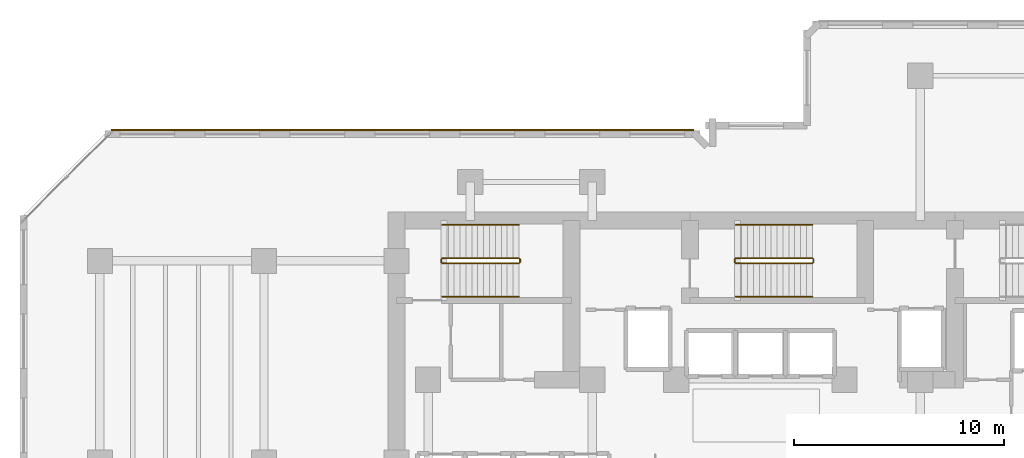
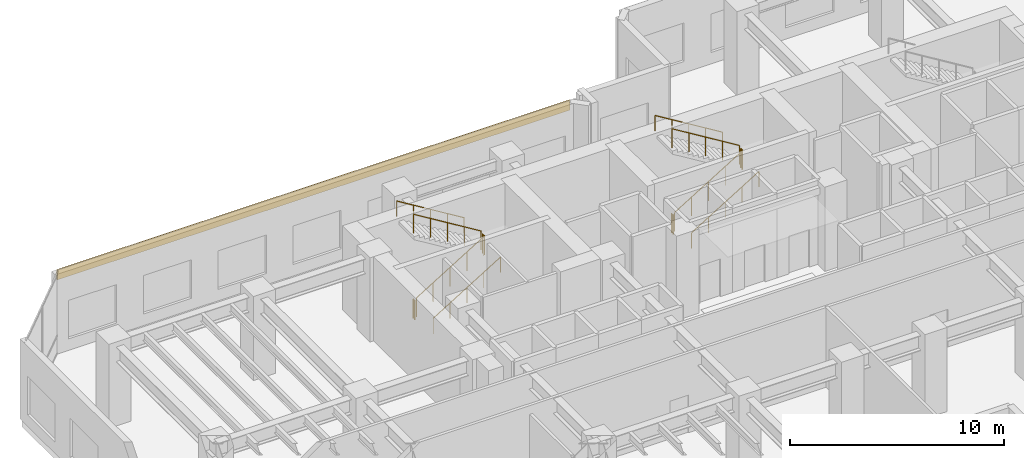
# One storey, part 16 of 17: 12 railings, 1 covering.
"""IFC4 building model written with IfcOpenShell, lengths in metres."""

from ifc_helpers import new_model, si_unit, direction, frame, origin, origin_2d, place, context, subcontext, project, spatial, rectangle, circle, extrude, material, layer, layer_set, type_object, element, save


model = new_model("IFC4")

# Units and contexts
model_context = context("Model", 3, precision=1e-05, world=origin(), true_north=direction((0.0, 1.0)))
body_context = subcontext(model_context, "Body", "Model", "MODEL_VIEW")
ifc_project = project(units=[si_unit("LENGTHUNIT", "METRE"), si_unit("AREAUNIT", "SQUARE_METRE"), si_unit("VOLUMEUNIT", "CUBIC_METRE"), si_unit("PLANEANGLEUNIT", "RADIAN"), si_unit("MASSUNIT", "GRAM", prefix="KILO")], contexts=[model_context])

# Site, building, storey
site_placement = place(None, origin())
site = spatial("IfcSite", under=ifc_project, at=site_placement, CompositionType="ELEMENT")
building_placement = place(site_placement, origin())
building = spatial("IfcBuilding", under=site, at=building_placement, Name="Kestravale Grand Hotel", CompositionType="ELEMENT")
storey_placement = place(building_placement, frame((0.0, 0.0, 129.800048828125)))
storey = spatial("IfcBuildingStorey", under=building, at=storey_placement, Name="L32", CompositionType="ELEMENT", Elevation=129.800048828125)

# Covering
ifc_material_1 = material(Name="Warm limestone-toned fluted architectural precast cladding", Category="masonry")
ifc_layer = layer(ifc_material_1, 0.074951171875)
ifc_layer_set = layer_set([ifc_layer], Name="COV-CLAD-LIM")
covering_type = type_object("IfcCoveringType", Name="COV-CLAD-LIM", PredefinedType="CLADDING", material=ifc_layer_set)
covering_placement = place(storey_placement, frame((22.175048828125, 44.614990234375, 3.97509765625), z_axis=(0.0, 0.0, 1.0), x_axis=(-1.0, 0.0, 0.0)))
element("IfcCovering", 1, at=covering_placement, inside=storey, type_object=covering_type, Name="L32 fluted limestone spandrel cladding 17", PredefinedType="CLADDING", context=body_context, shape_type="SweptSolid", body=[
    extrude(rectangle(XDim=27.68994140625, YDim=0.074951171875, at=origin_2d()), origin(), (0.0, 0.0, 1.0), 0.550048828125),
])

# Railings
ifc_material_2 = material(Name="Painted tubular steel stair well guard", Category="steel")
railing_type_1 = type_object("IfcRailingType", Name="RL-ST-GRD1100", PredefinedType="GUARDRAIL", material=ifc_material_2)
railing_1_placement = place(storey_placement, frame((24.080078125, 38.280029296875, 0.17138671875)))
element("IfcRailing", 2, at=railing_1_placement, inside=storey, type_object=railing_type_1, Name="L32 ST-1 stair guard 1", PredefinedType="GUARDRAIL", context=body_context, shape_type="SweptSolid", body=[
    extrude(circle(Radius=0.02392578125, at=origin_2d()), frame((0.0, 0.0, 1.076171875), z_axis=(0.852850264322, 0.0, 0.5221555579), x_axis=(0.0, 1.0, 0.0)), (0.0, 0.0, 1.0), 4.267822265625),
    extrude(circle(Radius=0.02099609375, at=origin_2d()), origin(), (0.0, 0.0, 1.0), 1.052001953125),
    extrude(circle(Radius=0.02099609375, at=origin_2d()), frame((0.909912109375, 0.0, 0.55712890625)), (0.0, 0.0, 1.0), 1.052001953125),
    extrude(circle(Radius=0.02099609375, at=origin_2d()), frame((1.81982421875, 0.0, 1.1142578125)), (0.0, 0.0, 1.0), 1.052001953125),
    extrude(circle(Radius=0.02099609375, at=origin_2d()), frame((2.72998046875, 0.0, 1.67138671875)), (0.0, 0.0, 1.0), 1.052001953125),
    extrude(circle(Radius=0.02099609375, at=origin_2d()), frame((3.639892578125, 0.0, 2.228515625)), (0.0, 0.0, 1.0), 1.052001953125),
])
railing_2_placement = place(storey_placement, frame((27.77001953125, 38.330078125, 2.39990234375)))
element("IfcRailing", 3, at=railing_2_placement, inside=storey, type_object=railing_type_1, Name="L32 ST-1 stair guard 2", PredefinedType="GUARDRAIL", context=body_context, shape_type="SweptSolid", body=[
    extrude(circle(Radius=0.02392578125, at=origin_2d()), frame((0.0, 0.0, 1.076171875), z_axis=(0.0, 1.0, 0.0), x_axis=(-1.0, 0.0, 0.0)), (0.0, 0.0, 1.0), 0.14990234375),
    extrude(circle(Radius=0.02099609375, at=origin_2d()), origin(), (0.0, 0.0, 1.0), 1.052001953125),
    extrude(circle(Radius=0.02099609375, at=origin_2d()), frame((0.0, 0.14990234375, 0.0)), (0.0, 0.0, 1.0), 1.052001953125),
])
railing_3_placement = place(storey_placement, frame((27.719970703125, 38.530029296875, 2.5712890625)))
element("IfcRailing", 4, at=railing_3_placement, inside=storey, type_object=railing_type_1, Name="L32 ST-1 stair guard 3", PredefinedType="GUARDRAIL", context=body_context, shape_type="SweptSolid", body=[
    extrude(circle(Radius=0.02392578125, at=origin_2d()), frame((0.0, 0.0, 1.076171875), z_axis=(-0.852824790078, 0.0, 0.522197163366), x_axis=(0.0, -1.0, 0.0)), (0.0, 0.0, 1.0), 4.26806640625),
    extrude(circle(Radius=0.02099609375, at=origin_2d()), origin(), (0.0, 0.0, 1.0), 1.052001953125),
    extrude(circle(Radius=0.02099609375, at=origin_2d()), frame((-0.909912109375, 0.0, 0.55712890625)), (0.0, 0.0, 1.0), 1.052001953125),
    extrude(circle(Radius=0.02099609375, at=origin_2d()), frame((-1.81982421875, 0.0, 1.1142578125)), (0.0, 0.0, 1.0), 1.052001953125),
    extrude(circle(Radius=0.02099609375, at=origin_2d()), frame((-2.72998046875, 0.0, 1.671630859375)), (0.0, 0.0, 1.0), 1.052001953125),
    extrude(circle(Radius=0.02099609375, at=origin_2d()), frame((-3.639892578125, 0.0, 2.228759765625)), (0.0, 0.0, 1.0), 1.052001953125),
])
railing_4_placement = place(storey_placement, frame((24.030029296875, 38.330078125, 0.0)))
element("IfcRailing", 5, at=railing_4_placement, inside=storey, type_object=railing_type_1, Name="L32 ST-1 stair guard 4", PredefinedType="GUARDRAIL", context=body_context, shape_type="SweptSolid", body=[
    extrude(circle(Radius=0.02392578125, at=origin_2d()), frame((0.0, 0.0, 1.076171875), z_axis=(0.0, 1.0, 0.0), x_axis=(-1.0, 0.0, 0.0)), (0.0, 0.0, 1.0), 0.14990234375),
    extrude(circle(Radius=0.02099609375, at=origin_2d()), origin(), (0.0, 0.0, 1.0), 1.052001953125),
    extrude(circle(Radius=0.02099609375, at=origin_2d()), frame((0.0, 0.14990234375, 0.0)), (0.0, 0.0, 1.0), 1.052001953125),
])
railing_5_placement = place(storey_placement, frame((38.030029296875, 38.280029296875, 0.17138671875)))
element("IfcRailing", 6, at=railing_5_placement, inside=storey, type_object=railing_type_1, Name="L32 ST-2 stair guard 1", PredefinedType="GUARDRAIL", context=body_context, shape_type="SweptSolid", body=[
    extrude(circle(Radius=0.02392578125, at=origin_2d()), frame((0.0, 0.0, 1.076171875), z_axis=(0.852850264322, 0.0, 0.5221555579), x_axis=(0.0, 1.0, 0.0)), (0.0, 0.0, 1.0), 4.267822265625),
    extrude(circle(Radius=0.02099609375, at=origin_2d()), origin(), (0.0, 0.0, 1.0), 1.052001953125),
    extrude(circle(Radius=0.02099609375, at=origin_2d()), frame((0.909912109375, 0.0, 0.55712890625)), (0.0, 0.0, 1.0), 1.052001953125),
    extrude(circle(Radius=0.02099609375, at=origin_2d()), frame((1.81982421875, 0.0, 1.1142578125)), (0.0, 0.0, 1.0), 1.052001953125),
    extrude(circle(Radius=0.02099609375, at=origin_2d()), frame((2.72998046875, 0.0, 1.67138671875)), (0.0, 0.0, 1.0), 1.052001953125),
    extrude(circle(Radius=0.02099609375, at=origin_2d()), frame((3.639892578125, 0.0, 2.228515625)), (0.0, 0.0, 1.0), 1.052001953125),
])
railing_6_placement = place(storey_placement, frame((41.719970703125, 38.330078125, 2.39990234375)))
element("IfcRailing", 7, at=railing_6_placement, inside=storey, type_object=railing_type_1, Name="L32 ST-2 stair guard 2", PredefinedType="GUARDRAIL", context=body_context, shape_type="SweptSolid", body=[
    extrude(circle(Radius=0.02392578125, at=origin_2d()), frame((0.0, 0.0, 1.076171875), z_axis=(0.0, 1.0, 0.0), x_axis=(-1.0, 0.0, 0.0)), (0.0, 0.0, 1.0), 0.14990234375),
    extrude(circle(Radius=0.02099609375, at=origin_2d()), origin(), (0.0, 0.0, 1.0), 1.052001953125),
    extrude(circle(Radius=0.02099609375, at=origin_2d()), frame((0.0, 0.14990234375, 0.0)), (0.0, 0.0, 1.0), 1.052001953125),
])
railing_7_placement = place(storey_placement, frame((41.669921875, 38.530029296875, 2.5712890625)))
element("IfcRailing", 8, at=railing_7_placement, inside=storey, type_object=railing_type_1, Name="L32 ST-2 stair guard 3", PredefinedType="GUARDRAIL", context=body_context, shape_type="SweptSolid", body=[
    extrude(circle(Radius=0.02392578125, at=origin_2d()), frame((0.0, 0.0, 1.076171875), z_axis=(-0.852824790078, 0.0, 0.522197163366), x_axis=(0.0, -1.0, 0.0)), (0.0, 0.0, 1.0), 4.26806640625),
    extrude(circle(Radius=0.02099609375, at=origin_2d()), origin(), (0.0, 0.0, 1.0), 1.052001953125),
    extrude(circle(Radius=0.02099609375, at=origin_2d()), frame((-0.909912109375, 0.0, 0.55712890625)), (0.0, 0.0, 1.0), 1.052001953125),
    extrude(circle(Radius=0.02099609375, at=origin_2d()), frame((-1.81982421875, 0.0, 1.1142578125)), (0.0, 0.0, 1.0), 1.052001953125),
    extrude(circle(Radius=0.02099609375, at=origin_2d()), frame((-2.72998046875, 0.0, 1.671630859375)), (0.0, 0.0, 1.0), 1.052001953125),
    extrude(circle(Radius=0.02099609375, at=origin_2d()), frame((-3.639892578125, 0.0, 2.228759765625)), (0.0, 0.0, 1.0), 1.052001953125),
])
railing_8_placement = place(storey_placement, frame((37.97998046875, 38.330078125, 0.0)))
element("IfcRailing", 9, at=railing_8_placement, inside=storey, type_object=railing_type_1, Name="L32 ST-2 stair guard 4", PredefinedType="GUARDRAIL", context=body_context, shape_type="SweptSolid", body=[
    extrude(circle(Radius=0.02392578125, at=origin_2d()), frame((0.0, 0.0, 1.076171875), z_axis=(0.0, 1.0, 0.0), x_axis=(-1.0, 0.0, 0.0)), (0.0, 0.0, 1.0), 0.14990234375),
    extrude(circle(Radius=0.02099609375, at=origin_2d()), origin(), (0.0, 0.0, 1.0), 1.052001953125),
    extrude(circle(Radius=0.02099609375, at=origin_2d()), frame((0.0, 0.14990234375, 0.0)), (0.0, 0.0, 1.0), 1.052001953125),
])
ifc_material_3 = material(Name="Brushed stainless steel wall handrail", Category="steel")
railing_type_2 = type_object("IfcRailingType", Name="RL-ST-HND900", PredefinedType="HANDRAIL", material=ifc_material_3)
railing_9_placement = place(storey_placement, frame((24.080078125, 36.699951171875, 0.17138671875)))
element("IfcRailing", 10, at=railing_9_placement, inside=storey, type_object=railing_type_2, Name="L32 ST-1 stair handrail 1", PredefinedType="HANDRAIL", context=body_context, shape_type="SweptSolid", body=[
    extrude(circle(Radius=0.02392578125, at=origin_2d()), frame((0.0, 0.0, 0.8759765625), z_axis=(0.852850264322, 0.0, 0.5221555579), x_axis=(0.0, 1.0, 0.0)), (0.0, 0.0, 1.0), 4.267822265625),
    extrude(circle(Radius=0.02099609375, at=origin_2d()), origin(), (0.0, 0.0, 1.0), 0.851806640625),
    extrude(circle(Radius=0.02099609375, at=origin_2d()), frame((0.909912109375, 0.0, 0.55712890625)), (0.0, 0.0, 1.0), 0.851806640625),
    extrude(circle(Radius=0.02099609375, at=origin_2d()), frame((1.81982421875, 0.0, 1.1142578125)), (0.0, 0.0, 1.0), 0.851806640625),
    extrude(circle(Radius=0.02099609375, at=origin_2d()), frame((2.72998046875, 0.0, 1.67138671875)), (0.0, 0.0, 1.0), 0.851806640625),
    extrude(circle(Radius=0.02099609375, at=origin_2d()), frame((3.639892578125, 0.0, 2.228515625)), (0.0, 0.0, 1.0), 0.851806640625),
])
railing_10_placement = place(storey_placement, frame((27.719970703125, 40.110107421875, 2.5712890625)))
element("IfcRailing", 11, at=railing_10_placement, inside=storey, type_object=railing_type_2, Name="L32 ST-1 stair handrail 2", PredefinedType="HANDRAIL", context=body_context, shape_type="SweptSolid", body=[
    extrude(circle(Radius=0.02392578125, at=origin_2d()), frame((0.0, 0.0, 0.8759765625), z_axis=(-0.852824790078, 0.0, 0.522197163366), x_axis=(0.0, -1.0, 0.0)), (0.0, 0.0, 1.0), 4.26806640625),
    extrude(circle(Radius=0.02099609375, at=origin_2d()), origin(), (0.0, 0.0, 1.0), 0.851806640625),
    extrude(circle(Radius=0.02099609375, at=origin_2d()), frame((-0.909912109375, 0.0, 0.55712890625)), (0.0, 0.0, 1.0), 0.851806640625),
    extrude(circle(Radius=0.02099609375, at=origin_2d()), frame((-1.81982421875, 0.0, 1.1142578125)), (0.0, 0.0, 1.0), 0.851806640625),
    extrude(circle(Radius=0.02099609375, at=origin_2d()), frame((-2.72998046875, 0.0, 1.671630859375)), (0.0, 0.0, 1.0), 0.851806640625),
    extrude(circle(Radius=0.02099609375, at=origin_2d()), frame((-3.639892578125, 0.0, 2.228759765625)), (0.0, 0.0, 1.0), 0.851806640625),
])
railing_11_placement = place(storey_placement, frame((38.030029296875, 36.699951171875, 0.17138671875)))
element("IfcRailing", 12, at=railing_11_placement, inside=storey, type_object=railing_type_2, Name="L32 ST-2 stair handrail 1", PredefinedType="HANDRAIL", context=body_context, shape_type="SweptSolid", body=[
    extrude(circle(Radius=0.02392578125, at=origin_2d()), frame((0.0, 0.0, 0.8759765625), z_axis=(0.852850264322, 0.0, 0.5221555579), x_axis=(0.0, 1.0, 0.0)), (0.0, 0.0, 1.0), 4.267822265625),
    extrude(circle(Radius=0.02099609375, at=origin_2d()), origin(), (0.0, 0.0, 1.0), 0.851806640625),
    extrude(circle(Radius=0.02099609375, at=origin_2d()), frame((0.909912109375, 0.0, 0.55712890625)), (0.0, 0.0, 1.0), 0.851806640625),
    extrude(circle(Radius=0.02099609375, at=origin_2d()), frame((1.81982421875, 0.0, 1.1142578125)), (0.0, 0.0, 1.0), 0.851806640625),
    extrude(circle(Radius=0.02099609375, at=origin_2d()), frame((2.72998046875, 0.0, 1.67138671875)), (0.0, 0.0, 1.0), 0.851806640625),
    extrude(circle(Radius=0.02099609375, at=origin_2d()), frame((3.639892578125, 0.0, 2.228515625)), (0.0, 0.0, 1.0), 0.851806640625),
])
railing_12_placement = place(storey_placement, frame((41.669921875, 40.110107421875, 2.5712890625)))
element("IfcRailing", 13, at=railing_12_placement, inside=storey, type_object=railing_type_2, Name="L32 ST-2 stair handrail 2", PredefinedType="HANDRAIL", context=body_context, shape_type="SweptSolid", body=[
    extrude(circle(Radius=0.02392578125, at=origin_2d()), frame((0.0, 0.0, 0.8759765625), z_axis=(-0.852824790078, 0.0, 0.522197163366), x_axis=(0.0, -1.0, 0.0)), (0.0, 0.0, 1.0), 4.26806640625),
    extrude(circle(Radius=0.02099609375, at=origin_2d()), origin(), (0.0, 0.0, 1.0), 0.851806640625),
    extrude(circle(Radius=0.02099609375, at=origin_2d()), frame((-0.909912109375, 0.0, 0.55712890625)), (0.0, 0.0, 1.0), 0.851806640625),
    extrude(circle(Radius=0.02099609375, at=origin_2d()), frame((-1.81982421875, 0.0, 1.1142578125)), (0.0, 0.0, 1.0), 0.851806640625),
    extrude(circle(Radius=0.02099609375, at=origin_2d()), frame((-2.72998046875, 0.0, 1.671630859375)), (0.0, 0.0, 1.0), 0.851806640625),
    extrude(circle(Radius=0.02099609375, at=origin_2d()), frame((-3.639892578125, 0.0, 2.228759765625)), (0.0, 0.0, 1.0), 0.851806640625),
])

save(model, "model.ifc")
